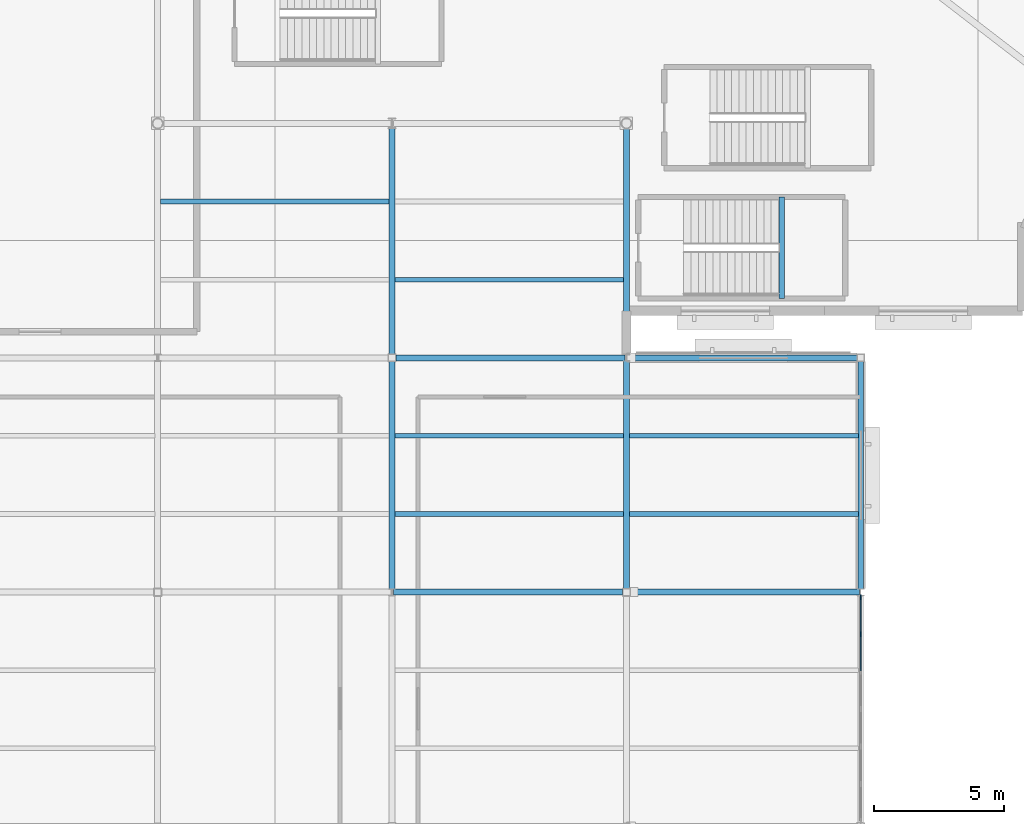
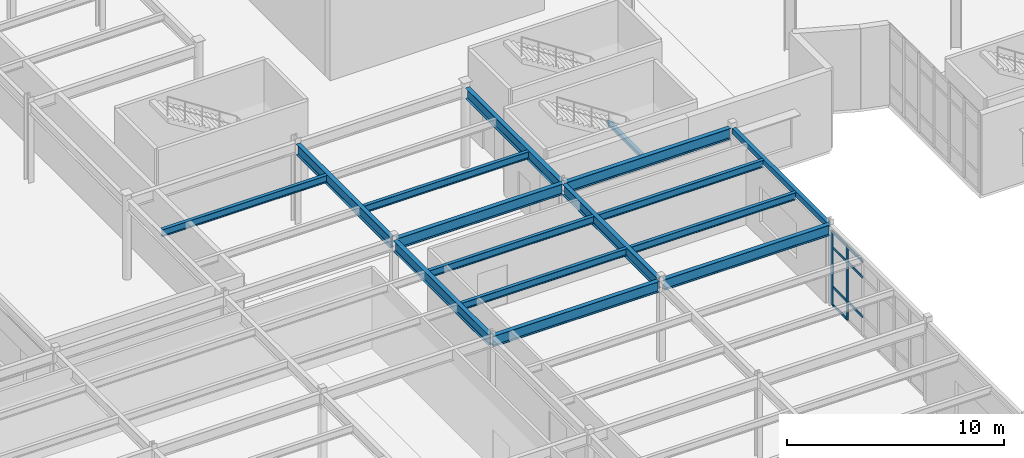
# One storey, part 27 of 84: 16 beams, 9 members, 1 element without a shape of its own.
"""IFC4 building model written with IfcOpenShell, lengths in metres."""

from ifc_helpers import new_model, si_unit, direction, frame, origin, origin_2d, place, context, subcontext, project, spatial, rectangle, hollow_rectangle, i_section, extrude, material, material_profile, profile_set, type_object, element, aggregate, save


model = new_model("IFC4")

# Units and contexts
model_context = context("Model", 3, precision=1e-05, world=origin(), true_north=direction((0.0, 1.0)))
body_context = subcontext(model_context, "Body", "Model", "MODEL_VIEW")
ifc_project = project(units=[si_unit("LENGTHUNIT", "METRE"), si_unit("AREAUNIT", "SQUARE_METRE"), si_unit("VOLUMEUNIT", "CUBIC_METRE"), si_unit("PLANEANGLEUNIT", "RADIAN"), si_unit("MASSUNIT", "GRAM", prefix="KILO")], contexts=[model_context])

# Site, building, storey
site_placement = place(None, origin())
site = spatial("IfcSite", under=ifc_project, at=site_placement, CompositionType="ELEMENT")
building_placement = place(site_placement, origin())
building = spatial("IfcBuilding", under=site, at=building_placement, Name="Glasvene Arena", CompositionType="ELEMENT")
storey_placement = place(building_placement, frame((0.0, 0.0, 10.199951171875)))
storey = spatial("IfcBuildingStorey", under=building, at=storey_placement, Name="L02", CompositionType="ELEMENT", Elevation=10.199951171875)

# Beams
ifc_material_1 = material(Name="Steel S355J2", Category="steel")
ifc_material_profile_1 = material_profile(ifc_material_1, i_section(OverallWidth=0.228271484375, OverallDepth=0.607666015625, WebThickness=0.010986328125, FlangeThickness=0.017333984375, FilletRadius=0.0126953125, at=origin_2d()), Name="UKB 610x229x113")
ifc_profile_set_1 = profile_set([ifc_material_profile_1], Name="Steel S355J2")
beam_type_1 = type_object("IfcBeamType", Name="BM-GIRD-610", PredefinedType="BEAM", material=ifc_profile_set_1)
for number, where, z_axis, x_axis, name in (
    (1, (36.050048828125, 18.0, 4.21630859375), (1.0, 0.0, 0.0), (0.0, 1.0, 0.0), "Primary X girder L02-0795"),
    (2, (45.14501953125, 18.0, 4.21630859375), (1.0, 0.0, 0.0), (0.0, 1.0, 0.0), "Primary X girder L02-0796"),
    (3, (36.14501953125, 27.0, 4.21630859375), (1.0, 0.0, 0.0), (0.0, 1.0, 0.0), "Primary X girder L02-0801"),
    (4, (45.050048828125, 27.0, 4.21630859375), (1.0, 0.0, 0.0), (0.0, 1.0, 0.0), "Primary X girder L02-0802"),
):
    element("IfcBeam", number, at=place(storey_placement, frame(where, z_axis=z_axis, x_axis=x_axis)), inside=storey, type_object=beam_type_1, Name=name, PredefinedType="BEAM", context=body_context, shape_type="SweptSolid", body=[
        extrude(i_section(OverallWidth=0.228271484375, OverallDepth=0.607666015625, WebThickness=0.010986328125, FlangeThickness=0.017333984375, FilletRadius=0.0126953125, at=origin_2d()), origin(), (0.0, 0.0, 1.0), 8.804931640625),
    ])
beam_1_placement = place(storey_placement, frame((36.0, 18.125244140625, 4.21630859375), z_axis=(0.0, 1.0, 0.0), x_axis=(-1.0, 0.0, 0.0)))
element("IfcBeam", 5, at=beam_1_placement, inside=storey, type_object=beam_type_1, Name="Primary Y girder L02-0865", PredefinedType="BEAM", context=body_context, shape_type="SweptSolid", body=[
    extrude(i_section(OverallWidth=0.228271484375, OverallDepth=0.607666015625, WebThickness=0.010986328125, FlangeThickness=0.017333984375, FilletRadius=0.0126953125, at=origin_2d()), origin(), (0.0, 0.0, 1.0), 8.729736328125),
])
beam_2_placement = place(storey_placement, frame((36.0, 27.14501953125, 4.21630859375), z_axis=(0.0, 1.0, 0.0), x_axis=(-1.0, 0.0, 0.0)))
element("IfcBeam", 6, at=beam_2_placement, inside=storey, type_object=beam_type_1, Name="Primary Y girder L02-0866", PredefinedType="BEAM", context=body_context, shape_type="SweptSolid", body=[
    extrude(i_section(OverallWidth=0.228271484375, OverallDepth=0.607666015625, WebThickness=0.010986328125, FlangeThickness=0.017333984375, FilletRadius=0.0126953125, at=origin_2d()), origin(), (0.0, 0.0, 1.0), 8.659912109375),
])
beam_3_placement = place(storey_placement, frame((45.0, 18.14501953125, 4.21630859375), z_axis=(0.0, 1.0, 0.0), x_axis=(-1.0, 0.0, 0.0)))
element("IfcBeam", 7, at=beam_3_placement, inside=storey, type_object=beam_type_1, Name="Primary Y girder L02-0871", PredefinedType="BEAM", context=body_context, shape_type="SweptSolid", body=[
    extrude(i_section(OverallWidth=0.228271484375, OverallDepth=0.607666015625, WebThickness=0.010986328125, FlangeThickness=0.017333984375, FilletRadius=0.0126953125, at=origin_2d()), origin(), (0.0, 0.0, 1.0), 8.729736328125),
])
beam_4_placement = place(storey_placement, frame((45.0, 27.125244140625, 4.21630859375), z_axis=(0.0, 1.0, 0.0), x_axis=(-1.0, 0.0, 0.0)))
element("IfcBeam", 8, at=beam_4_placement, inside=storey, type_object=beam_type_1, Name="Primary Y girder L02-0872", PredefinedType="BEAM", context=body_context, shape_type="SweptSolid", body=[
    extrude(i_section(OverallWidth=0.228271484375, OverallDepth=0.607666015625, WebThickness=0.010986328125, FlangeThickness=0.017333984375, FilletRadius=0.0126953125, at=origin_2d()), origin(), (0.0, 0.0, 1.0), 8.676513671875),
])
ifc_material_profile_2 = material_profile(ifc_material_1, i_section(OverallWidth=0.177978515625, OverallDepth=0.406494140625, WebThickness=0.0078125, FlangeThickness=0.0126953125, FilletRadius=0.01025390625, at=origin_2d()), Name="UKB 406x178x60")
ifc_profile_set_2 = profile_set([ifc_material_profile_2], Name="Steel S355J2")
beam_type_2 = type_object("IfcBeamType", Name="BM-JOIST-406", PredefinedType="JOIST", material=ifc_profile_set_2)
for number, where, z_axis, x_axis, name in (
    (9, (27.110107421875, 33.0, 4.31689453125), (1.0, 0.0, 0.0), (0.0, 1.0, 0.0), "Composite floor joist L02-0916"),
    (10, (36.110107421875, 21.0, 4.31689453125), (1.0, 0.0, 0.0), (0.0, 1.0, 0.0), "Composite floor joist L02-0925"),
    (11, (36.110107421875, 24.0, 4.31689453125), (1.0, 0.0, 0.0), (0.0, 1.0, 0.0), "Composite floor joist L02-0926"),
    (12, (36.110107421875, 30.0, 4.31689453125), (1.0, 0.0, 0.0), (0.0, 1.0, 0.0), "Composite floor joist L02-0927"),
):
    element("IfcBeam", number, at=place(storey_placement, frame(where, z_axis=z_axis, x_axis=x_axis)), inside=storey, type_object=beam_type_2, Name=name, PredefinedType="JOIST", context=body_context, shape_type="SweptSolid", body=[
        extrude(i_section(OverallWidth=0.177978515625, OverallDepth=0.406494140625, WebThickness=0.0078125, FlangeThickness=0.0126953125, FilletRadius=0.01025390625, at=origin_2d()), origin(), (0.0, 0.0, 1.0), 8.77978515625),
    ])
for number, where, z_axis, x_axis, name in (
    (13, (45.110107421875, 21.0, 4.31689453125), (1.0, 0.0, 0.0), (0.0, 1.0, 0.0), "Composite floor joist L02-0935"),
    (14, (45.110107421875, 24.0, 4.31689453125), (1.0, 0.0, 0.0), (0.0, 1.0, 0.0), "Composite floor joist L02-0936"),
):
    element("IfcBeam", number, at=place(storey_placement, frame(where, z_axis=z_axis, x_axis=x_axis)), inside=storey, type_object=beam_type_2, Name=name, PredefinedType="JOIST", context=body_context, shape_type="SweptSolid", body=[
        extrude(i_section(OverallWidth=0.177978515625, OverallDepth=0.406494140625, WebThickness=0.0078125, FlangeThickness=0.0126953125, FilletRadius=0.01025390625, at=origin_2d()), origin(), (0.0, 0.0, 1.0), 8.7939453125),
    ])
ifc_material_profile_3 = material_profile(ifc_material_1, hollow_rectangle(XDim=0.199951171875, YDim=0.199951171875, WallThickness=0.010009765625, at=origin_2d()), Name="SHS 200x200x10.0")
ifc_profile_set_3 = profile_set([ifc_material_profile_3], Name="Steel S355J2")
beam_type_3 = type_object("IfcBeamType", Name="BM-LINTEL-200", PredefinedType="LINTEL", material=ifc_profile_set_3)
beam_5_placement = place(storey_placement, frame((50.9599609375, 29.280029296875, 2.080078125), z_axis=(0.0, 1.0, 0.0), x_axis=(-1.0, 0.0, 0.0)))
element("IfcBeam", 15, at=beam_5_placement, inside=storey, type_object=beam_type_3, Name="Stair half-landing support beam ST-16-L02", PredefinedType="LINTEL", context=body_context, shape_type="SweptSolid", body=[
    extrude(hollow_rectangle(XDim=0.199951171875, YDim=0.199951171875, WallThickness=0.010009765625, at=origin_2d()), origin(), (0.0, 0.0, 1.0), 3.889892578125),
])
ifc_material_profile_4 = material_profile(ifc_material_1, hollow_rectangle(XDim=0.199951171875, YDim=0.300048828125, WallThickness=0.012451171875, at=origin_2d()), Name="RHS 300x200x12.5")
ifc_profile_set_4 = profile_set([ifc_material_profile_4], Name="Steel S355J2")
beam_type_4 = type_object("IfcBeamType", Name="BM-SPAND-300", PredefinedType="SPANDREL", material=ifc_profile_set_4)
beam_6_placement = place(storey_placement, frame((54.0, 18.125244140625, 4.3701171875), z_axis=(0.0, 1.0, 0.0), x_axis=(-1.0, 0.0, 0.0)))
element("IfcBeam", 16, at=beam_6_placement, inside=storey, type_object=beam_type_4, Name="Primary Y girder L02-0876", PredefinedType="SPANDREL", context=body_context, shape_type="SweptSolid", body=[
    extrude(hollow_rectangle(XDim=0.199951171875, YDim=0.300048828125, WallThickness=0.012451171875, at=origin_2d()), origin(), (0.0, 0.0, 1.0), 8.729736328125),
])

# Curtain wall, members
ifc_material_2 = material(Name="Low-emissivity laminated double glazing", Category="glass")
curtain_wall_type = type_object("IfcCurtainWallType", Name="CW-FAC-L02-864x416", PredefinedType="USERDEFINED", material=ifc_material_2)
curtain_wall_placement = place(storey_placement, frame((54.0, 17.827880859375, 0.0)))
curtain_wall = element("IfcCurtainWall", 17, at=curtain_wall_placement, inside=storey, type_object=curtain_wall_type, Name="Unitised curtain wall CW-F-L02-180-540-135-67", ObjectType="CURTAIN WALL", PredefinedType="USERDEFINED")
ifc_material_3 = material(Name="Anodised architectural aluminium", Category="aluminium")
ifc_material_profile_5 = material_profile(ifc_material_3, rectangle(XDim=0.050048828125, YDim=0.199951171875, at=origin_2d()), Name="ALU MULLION 50x200")
ifc_profile_set_5 = profile_set([ifc_material_profile_5], Name="Anodised architectural aluminium")
member_type_1 = type_object("IfcMemberType", Name="CW-MUL-180", PredefinedType="MULLION", material=ifc_profile_set_5)
member_1_placement = place(storey_placement, frame((54.0, 17.802978515625, 0.06005859375), z_axis=(0.0, 0.0, 1.0), x_axis=(1.0, 0.0, 0.0)))
member_1 = element("IfcMember", 18, at=member_1_placement, type_object=member_type_1, Name="CW-029 mullion 1", PredefinedType="MULLION", context=body_context, shape_type="SweptSolid", body=[
    extrude(rectangle(XDim=0.050048828125, YDim=0.199951171875, at=origin_2d()), origin(), (0.0, 0.0, 1.0), 4.155029296875),
])
member_2_placement = place(storey_placement, frame((54.0, 16.388671875, 0.06005859375), z_axis=(0.0, 0.0, 1.0), x_axis=(1.0, 0.0, 0.0)))
member_2 = element("IfcMember", 19, at=member_2_placement, type_object=member_type_1, Name="CW-029 mullion 2", PredefinedType="MULLION", context=body_context, shape_type="SweptSolid", body=[
    extrude(rectangle(XDim=0.050048828125, YDim=0.199951171875, at=origin_2d()), origin(), (0.0, 0.0, 1.0), 4.155029296875),
])
ifc_material_profile_6 = material_profile(ifc_material_3, rectangle(XDim=0.050048828125, YDim=0.14990234375, at=origin_2d()), Name="ALU TRANSOM 50x150")
ifc_profile_set_6 = profile_set([ifc_material_profile_6], Name="Anodised architectural aluminium")
member_type_2 = type_object("IfcMemberType", Name="CW-TRN-150", PredefinedType="USERDEFINED", material=ifc_profile_set_6)
member_3_placement = place(storey_placement, frame((54.0, 17.77783203125, 0.0849609375), z_axis=(0.0, -1.0, 0.0), x_axis=(1.0, 0.0, 0.0)))
member_3 = element("IfcMember", 20, at=member_3_placement, type_object=member_type_2, Name="CW-029 transom 1.1", ObjectType="TRANSOM", PredefinedType="USERDEFINED", context=body_context, shape_type="SweptSolid", body=[
    extrude(rectangle(XDim=0.050048828125, YDim=0.14990234375, at=origin_2d()), origin(), (0.0, 0.0, 1.0), 1.3642578125),
])
member_4_placement = place(storey_placement, frame((54.0, 17.77783203125, 1.10009765625), z_axis=(0.0, -1.0, 0.0), x_axis=(1.0, 0.0, 0.0)))
member_4 = element("IfcMember", 21, at=member_4_placement, type_object=member_type_2, Name="CW-029 transom 1.2", ObjectType="TRANSOM", PredefinedType="USERDEFINED", context=body_context, shape_type="SweptSolid", body=[
    extrude(rectangle(XDim=0.050048828125, YDim=0.14990234375, at=origin_2d()), origin(), (0.0, 0.0, 1.0), 1.3642578125),
])
member_5_placement = place(storey_placement, frame((54.0, 17.77783203125, 3.31494140625), z_axis=(0.0, -1.0, 0.0), x_axis=(1.0, 0.0, 0.0)))
member_5 = element("IfcMember", 22, at=member_5_placement, type_object=member_type_2, Name="CW-029 transom 1.3", ObjectType="TRANSOM", PredefinedType="USERDEFINED", context=body_context, shape_type="SweptSolid", body=[
    extrude(rectangle(XDim=0.050048828125, YDim=0.14990234375, at=origin_2d()), origin(), (0.0, 0.0, 1.0), 1.3642578125),
])
member_6_placement = place(storey_placement, frame((54.0, 17.77783203125, 4.18994140625), z_axis=(0.0, -1.0, 0.0), x_axis=(1.0, 0.0, 0.0)))
member_6 = element("IfcMember", 23, at=member_6_placement, type_object=member_type_2, Name="CW-029 transom 1.4", ObjectType="TRANSOM", PredefinedType="USERDEFINED", context=body_context, shape_type="SweptSolid", body=[
    extrude(rectangle(XDim=0.050048828125, YDim=0.14990234375, at=origin_2d()), origin(), (0.0, 0.0, 1.0), 1.3642578125),
])
member_7_placement = place(storey_placement, frame((54.0, 16.363525390625, 1.10009765625), z_axis=(0.0, -1.0, 0.0), x_axis=(1.0, 0.0, 0.0)))
member_7 = element("IfcMember", 24, at=member_7_placement, type_object=member_type_2, Name="CW-029 transom 2.2", ObjectType="TRANSOM", PredefinedType="USERDEFINED", context=body_context, shape_type="SweptSolid", body=[
    extrude(rectangle(XDim=0.050048828125, YDim=0.14990234375, at=origin_2d()), origin(), (0.0, 0.0, 1.0), 1.38916015625),
])
member_8_placement = place(storey_placement, frame((54.0, 16.363525390625, 3.31494140625), z_axis=(0.0, -1.0, 0.0), x_axis=(1.0, 0.0, 0.0)))
member_8 = element("IfcMember", 25, at=member_8_placement, type_object=member_type_2, Name="CW-029 transom 2.3", ObjectType="TRANSOM", PredefinedType="USERDEFINED", context=body_context, shape_type="SweptSolid", body=[
    extrude(rectangle(XDim=0.050048828125, YDim=0.14990234375, at=origin_2d()), origin(), (0.0, 0.0, 1.0), 1.38916015625),
])
member_9_placement = place(storey_placement, frame((54.0, 16.363525390625, 4.18994140625), z_axis=(0.0, -1.0, 0.0), x_axis=(1.0, 0.0, 0.0)))
member_9 = element("IfcMember", 26, at=member_9_placement, type_object=member_type_2, Name="CW-029 transom 2.4", ObjectType="TRANSOM", PredefinedType="USERDEFINED", context=body_context, shape_type="SweptSolid", body=[
    extrude(rectangle(XDim=0.050048828125, YDim=0.14990234375, at=origin_2d()), origin(), (0.0, 0.0, 1.0), 1.38916015625),
])
aggregate(curtain_wall, [member_1, member_2, member_3, member_4, member_5, member_6, member_7, member_8, member_9])

save(model, "model.ifc")
